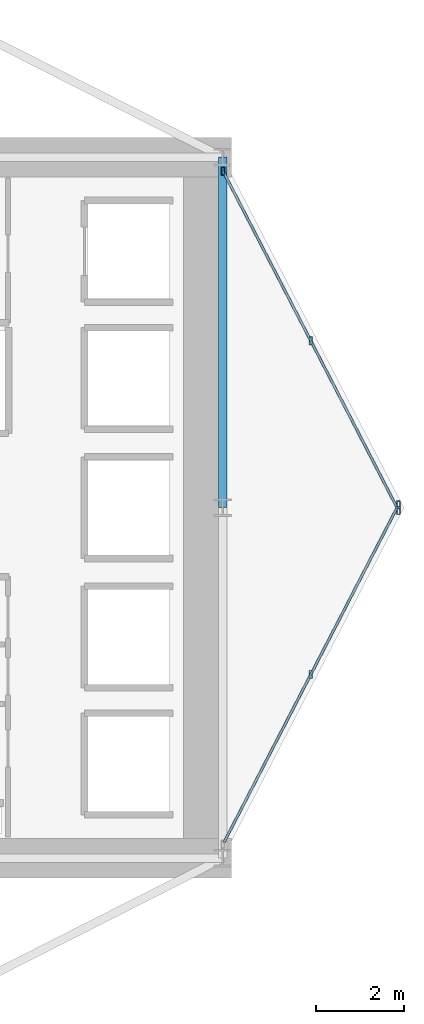
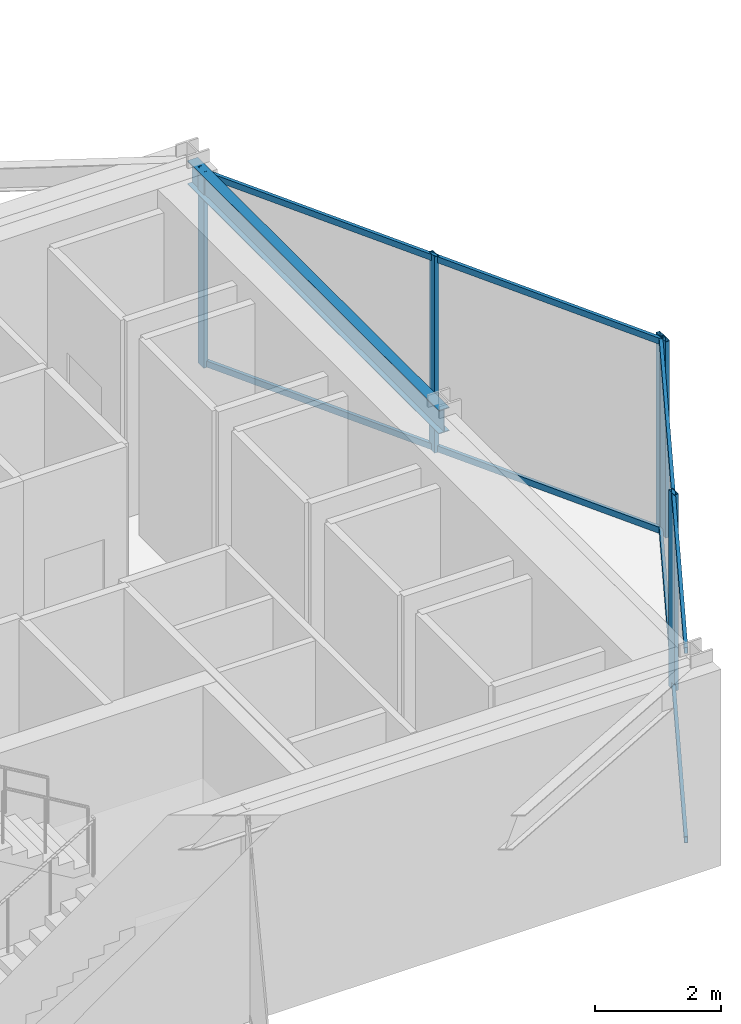
# One storey, part 18 of 29: 9 members, 1 beam, 2 elements without a shape of their own.
"""IFC4 building model written with IfcOpenShell, lengths in metres."""

from ifc_helpers import new_model, si_unit, direction, frame, origin, origin_2d, place, context, subcontext, project, spatial, hollow_rectangle, i_section, extrude, material, layer, layer_set, material_profile, profile_set, type_object, element, aggregate, save


model = new_model("IFC4")

# Units and contexts
model_context = context("Model", 3, precision=1e-05, world=origin(), true_north=direction((0.0, 1.0)))
body_context = subcontext(model_context, "Body", "Model", "MODEL_VIEW")
ifc_project = project(units=[si_unit("LENGTHUNIT", "METRE"), si_unit("AREAUNIT", "SQUARE_METRE"), si_unit("VOLUMEUNIT", "CUBIC_METRE"), si_unit("PLANEANGLEUNIT", "RADIAN"), si_unit("MASSUNIT", "GRAM", prefix="KILO")], contexts=[model_context])

# Site, building, storey
site_placement = place(None, origin())
site = spatial("IfcSite", under=ifc_project, at=site_placement, CompositionType="ELEMENT")
building_placement = place(site_placement, origin())
building = spatial("IfcBuilding", under=site, at=building_placement, Name="Veymaron Broadcast Tower", CompositionType="ELEMENT")
storey_placement = place(building_placement, frame((0.0, 0.0, 41.85009765625)))
storey = spatial("IfcBuildingStorey", under=building, at=storey_placement, Name="L08", CompositionType="ELEMENT", Elevation=41.85009765625)

# Beam
ifc_material_1 = material(Name="Structural steel ASTM A992 Gr 50", Category="steel")
ifc_material_profile_1 = material_profile(ifc_material_1, i_section(OverallWidth=0.19091796875, OverallDepth=0.4599609375, WebThickness=0.010009765625, FlangeThickness=0.01611328125, at=origin_2d()), Name="W460X82")
ifc_profile_set_1 = profile_set([ifc_material_profile_1], Name="Structural steel ASTM A992 Gr 50")
beam_type = type_object("IfcBeamType", Name="BM-SP1", PredefinedType="SPANDREL", material=ifc_profile_set_1)
beam_placement = place(storey_placement, frame((54.60009765625, 24.0, 3.579833984375), z_axis=(0.0, 1.0, 0.0), x_axis=(-1.0, 0.0, 0.0)))
element("IfcBeam", 1, at=beam_placement, inside=storey, type_object=beam_type, Name="L08 primary structural floor girder", PredefinedType="SPANDREL", context=body_context, shape_type="SweptSolid", body=[
    extrude(i_section(OverallWidth=0.19091796875, OverallDepth=0.4599609375, WebThickness=0.010009765625, FlangeThickness=0.01611328125, at=origin_2d()), origin(), (0.0, 0.0, 1.0), 8.0),
])

# Curtain wall, members
ifc_material_2 = material(Name="Anodised aluminium AA 6063-T6 and laminated low-E dark glass", Category="aluminium")
ifc_layer = layer(ifc_material_2, 0.179931640625)
ifc_layer_set = layer_set([ifc_layer], Name="Anodised aluminium AA 6063-T6 and laminated low-E dark glass")
curtain_wall_type = type_object("IfcCurtainWallType", Name="CW-SYS-02", PredefinedType="NOTDEFINED", material=ifc_layer_set)
curtain_wall_1_placement = place(storey_placement, origin())
curtain_wall_1 = element("IfcCurtainWall", 2, at=curtain_wall_1_placement, inside=storey, type_object=curtain_wall_type, Name="L08 dark-glass curtain wall CW-L08-E2-1", PredefinedType="NOTDEFINED")
ifc_material_3 = material(Name="Anodised aluminium AA 6063-T6", Category="aluminium")
ifc_material_profile_2 = material_profile(ifc_material_3, hollow_rectangle(XDim=0.074951171875, YDim=0.179931640625, WallThickness=0.0048828125, at=origin_2d()), Name="AL180X75X5")
ifc_profile_set_2 = profile_set([ifc_material_profile_2], Name="Anodised aluminium AA 6063-T6")
member_type_1 = type_object("IfcMemberType", Name="CW-MUL-02", PredefinedType="MULLION", material=ifc_profile_set_2)
member_1_placement = place(storey_placement, frame((56.610107421875, 20.19189453125, 0.0), z_axis=(0.0, 0.0, 1.0), x_axis=(1.0, 0.0, 0.0)))
member_1 = element("IfcMember", 3, at=member_1_placement, type_object=member_type_1, Name="CW-L08-E2-1 mullion 1", PredefinedType="MULLION", context=body_context, shape_type="SweptSolid", body=[
    extrude(hollow_rectangle(XDim=0.074951171875, YDim=0.179931640625, WallThickness=0.0048828125, at=origin_2d()), origin(), (0.0, 0.0, 1.0), 3.809814453125),
])
member_2_placement = place(storey_placement, frame((58.612548828125, 24.064208984375, 0.0), z_axis=(0.0, 0.0, 1.0), x_axis=(1.0, 0.0, 0.0)))
member_2 = element("IfcMember", 4, at=member_2_placement, type_object=member_type_1, Name="CW-L08-E2-1 mullion 2", PredefinedType="MULLION", context=body_context, shape_type="SweptSolid", body=[
    extrude(hollow_rectangle(XDim=0.074951171875, YDim=0.179931640625, WallThickness=0.0048828125, at=origin_2d()), origin(), (0.0, 0.0, 1.0), 3.809814453125),
])

curtain_wall_2_placement = place(storey_placement, origin())
curtain_wall_2 = element("IfcCurtainWall", 5, at=curtain_wall_2_placement, inside=storey, type_object=curtain_wall_type, Name="L08 dark-glass curtain wall CW-L08-E3-1", PredefinedType="NOTDEFINED")
member_3_placement = place(storey_placement, frame((58.612548828125, 23.935791015625, 0.0), z_axis=(0.0, 0.0, 1.0), x_axis=(1.0, 0.0, 0.0)))
member_3 = element("IfcMember", 6, at=member_3_placement, type_object=member_type_1, Name="CW-L08-E3-1 mullion 0", PredefinedType="MULLION", context=body_context, shape_type="SweptSolid", body=[
    extrude(hollow_rectangle(XDim=0.074951171875, YDim=0.179931640625, WallThickness=0.0048828125, at=origin_2d()), origin(), (0.0, 0.0, 1.0), 3.809814453125),
])
member_4_placement = place(storey_placement, frame((56.610107421875, 27.80810546875, 0.0), z_axis=(0.0, 0.0, 1.0), x_axis=(1.0, 0.0, 0.0)))
member_4 = element("IfcMember", 7, at=member_4_placement, type_object=member_type_1, Name="CW-L08-E3-1 mullion 1", PredefinedType="MULLION", context=body_context, shape_type="SweptSolid", body=[
    extrude(hollow_rectangle(XDim=0.074951171875, YDim=0.179931640625, WallThickness=0.0048828125, at=origin_2d()), origin(), (0.0, 0.0, 1.0), 3.809814453125),
])
member_5_placement = place(storey_placement, frame((54.607666015625, 31.680419921875, 0.0), z_axis=(0.0, 0.0, 1.0), x_axis=(1.0, 0.0, 0.0)))
member_5 = element("IfcMember", 8, at=member_5_placement, type_object=member_type_1, Name="CW-L08-E3-1 mullion 2", PredefinedType="MULLION", context=body_context, shape_type="SweptSolid", body=[
    extrude(hollow_rectangle(XDim=0.074951171875, YDim=0.179931640625, WallThickness=0.0048828125, at=origin_2d()), origin(), (0.0, 0.0, 1.0), 3.809814453125),
])

# Member
ifc_material_profile_3 = material_profile(ifc_material_3, hollow_rectangle(XDim=0.06005859375, YDim=0.1201171875, WallThickness=0.00390625, at=origin_2d()), Name="AL120X60X4")
ifc_profile_set_3 = profile_set([ifc_material_profile_3], Name="Anodised aluminium AA 6063-T6")
member_type_2 = type_object("IfcMemberType", Name="CW-TRN-02", PredefinedType="USERDEFINED", material=ifc_profile_set_3)
member_6_placement = place(storey_placement, frame((54.630615234375, 16.364013671875, 0.06982421875), z_axis=(0.45932967534, 0.888265866366, 0.0), x_axis=(-0.888265866366, 0.45932967534, 0.0)))
member_6 = element("IfcMember", 9, at=member_6_placement, type_object=member_type_2, Name="CW-L08-E2-1 transom B", ObjectType="TRANSOM", PredefinedType="USERDEFINED", context=body_context, shape_type="SweptSolid", body=[
    extrude(hollow_rectangle(XDim=0.06005859375, YDim=0.1201171875, WallThickness=0.00390625, at=origin_2d()), origin(), (0.0, 0.0, 1.0), 8.619140625),
])

member_7_placement = place(storey_placement, frame((54.630615234375, 16.364013671875, 3.739990234375), z_axis=(0.45932967534, 0.888265866366, 0.0), x_axis=(-0.888265866366, 0.45932967534, 0.0)))
member_7 = element("IfcMember", 10, at=member_7_placement, type_object=member_type_2, Name="CW-L08-E2-1 transom T", ObjectType="TRANSOM", PredefinedType="USERDEFINED", context=body_context, shape_type="SweptSolid", body=[
    extrude(hollow_rectangle(XDim=0.06005859375, YDim=0.1201171875, WallThickness=0.00390625, at=origin_2d()), origin(), (0.0, 0.0, 1.0), 8.619140625),
])

aggregate(curtain_wall_1, [member_1, member_2, member_6, member_7])

member_8_placement = place(storey_placement, frame((58.589599609375, 23.97998046875, 0.06982421875), z_axis=(-0.45932967534, 0.888265866366, 0.0), x_axis=(-0.888265866366, -0.45932967534, 0.0)))
member_8 = element("IfcMember", 11, at=member_8_placement, type_object=member_type_2, Name="CW-L08-E3-1 transom B", ObjectType="TRANSOM", PredefinedType="USERDEFINED", context=body_context, shape_type="SweptSolid", body=[
    extrude(hollow_rectangle(XDim=0.06005859375, YDim=0.1201171875, WallThickness=0.00390625, at=origin_2d()), origin(), (0.0, 0.0, 1.0), 8.619140625),
])

member_9_placement = place(storey_placement, frame((58.589599609375, 23.97998046875, 3.739990234375), z_axis=(-0.45932967534, 0.888265866366, 0.0), x_axis=(-0.888265866366, -0.45932967534, 0.0)))
member_9 = element("IfcMember", 12, at=member_9_placement, type_object=member_type_2, Name="CW-L08-E3-1 transom T", ObjectType="TRANSOM", PredefinedType="USERDEFINED", context=body_context, shape_type="SweptSolid", body=[
    extrude(hollow_rectangle(XDim=0.06005859375, YDim=0.1201171875, WallThickness=0.00390625, at=origin_2d()), origin(), (0.0, 0.0, 1.0), 8.619140625),
])

aggregate(curtain_wall_2, [member_3, member_4, member_5, member_8, member_9])

save(model, "model.ifc")
